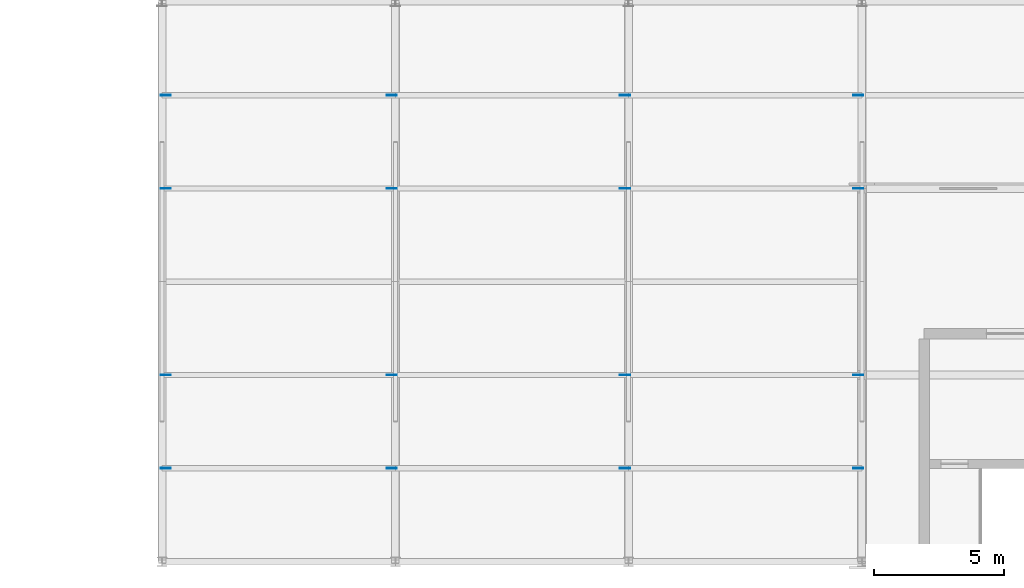
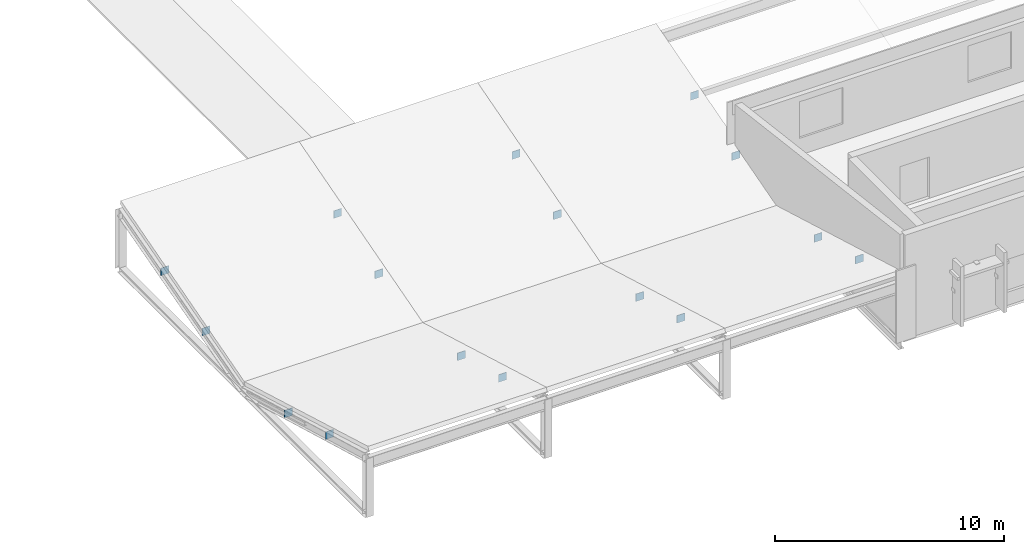
# One storey, part 35 of 64: 16 plates.
"""IFC4 building model written with IfcOpenShell, lengths in metres."""

from ifc_helpers import new_model, si_unit, direction, frame, origin, origin_2d, place, context, subcontext, project, spatial, rectangle, extrude, material, layer, layer_set, type_object, element, save


model = new_model("IFC4")

# Units and contexts
model_context = context("Model", 3, precision=1e-05, world=origin(), true_north=direction((0.0, 1.0)))
body_context = subcontext(model_context, "Body", "Model", "MODEL_VIEW")
ifc_project = project(units=[si_unit("LENGTHUNIT", "METRE"), si_unit("AREAUNIT", "SQUARE_METRE"), si_unit("VOLUMEUNIT", "CUBIC_METRE"), si_unit("PLANEANGLEUNIT", "RADIAN"), si_unit("MASSUNIT", "GRAM", prefix="KILO")], contexts=[model_context])

# Site, building, storey
site_placement = place(None, origin())
site = spatial("IfcSite", under=ifc_project, at=site_placement, CompositionType="ELEMENT")
building_placement = place(site_placement, origin())
building = spatial("IfcBuilding", under=site, at=building_placement, Name="Vervanel Yard Central Library", CompositionType="ELEMENT")
storey_placement = place(building_placement, frame((0.0, 0.0, 8.93994140625)))
storey = spatial("IfcBuildingStorey", under=building, at=storey_placement, Name="L02", CompositionType="ELEMENT", Elevation=8.93994140625)

# Plates
ifc_material = material(Name="Steel ASTM A572 Grade 50", Category="steel")
ifc_layer = layer(ifc_material, 0.028076171875, Category="steel")
ifc_layer_set = layer_set([ifc_layer], Name="Steel ASTM A572 Grade 50")
plate_type = type_object("IfcPlateType", Name="Brace End Cap Plate 28", PredefinedType="SHEET", material=ifc_layer_set)
for number, where, z_axis, x_axis, name in (
    (1, (63.139892578125, 3.60009765625, 1.8447265625), (0.0, 0.0, 1.0), (1.0, 0.0, 0.0), "V5 Butterfly Purlin End Cap 63-36-1"),
    (2, (71.860107421875, 3.60009765625, 1.8447265625), (0.0, 0.0, 1.0), (1.0, 0.0, 0.0), "V5 Butterfly Purlin End Cap 63-36-2"),
    (3, (63.139892578125, 7.199951171875, 0.8125), (0.0, 0.0, 1.0), (1.0, 0.0, 0.0), "V5 Butterfly Purlin End Cap 63-72-1"),
    (4, (71.860107421875, 7.199951171875, 0.8125), (0.0, 0.0, 1.0), (1.0, 0.0, 0.0), "V5 Butterfly Purlin End Cap 63-72-2"),
    (5, (63.139892578125, 14.39990234375, 0.8125), (0.0, 0.0, 1.0), (1.0, 0.0, 0.0), "V5 Butterfly Purlin End Cap 63-144-1"),
    (6, (71.860107421875, 14.39990234375, 0.8125), (0.0, 0.0, 1.0), (1.0, 0.0, 0.0), "V5 Butterfly Purlin End Cap 63-144-2"),
    (7, (63.139892578125, 18.0, 1.8447265625), (0.0, 0.0, 1.0), (1.0, 0.0, 0.0), "V5 Butterfly Purlin End Cap 63-180-1"),
    (8, (71.860107421875, 18.0, 1.8447265625), (0.0, 0.0, 1.0), (1.0, 0.0, 0.0), "V5 Butterfly Purlin End Cap 63-180-2"),
    (9, (80.860107421875, 3.60009765625, 1.8447265625), (0.0, 0.0, 1.0), (1.0, 0.0, 0.0), "V5 Butterfly Purlin End Cap 72-36-2"),
    (10, (80.860107421875, 7.199951171875, 0.8125), (0.0, 0.0, 1.0), (1.0, 0.0, 0.0), "V5 Butterfly Purlin End Cap 72-72-2"),
    (11, (80.860107421875, 14.39990234375, 0.8125), (0.0, 0.0, 1.0), (1.0, 0.0, 0.0), "V5 Butterfly Purlin End Cap 72-144-2"),
    (12, (80.860107421875, 18.0, 1.8447265625), (0.0, 0.0, 1.0), (1.0, 0.0, 0.0), "V5 Butterfly Purlin End Cap 72-180-2"),
    (13, (89.860107421875, 3.60009765625, 1.8447265625), (0.0, 0.0, 1.0), (1.0, 0.0, 0.0), "V5 Butterfly Purlin End Cap 81-36-2"),
    (14, (89.860107421875, 7.199951171875, 0.8125), (0.0, 0.0, 1.0), (1.0, 0.0, 0.0), "V5 Butterfly Purlin End Cap 81-72-2"),
    (15, (89.860107421875, 14.39990234375, 0.8125), (0.0, 0.0, 1.0), (1.0, 0.0, 0.0), "V5 Butterfly Purlin End Cap 81-144-2"),
    (16, (89.860107421875, 18.0, 1.8447265625), (0.0, 0.0, 1.0), (1.0, 0.0, 0.0), "V5 Butterfly Purlin End Cap 81-180-2"),
):
    element("IfcPlate", number, at=place(storey_placement, frame(where, z_axis=z_axis, x_axis=x_axis)), inside=storey, type_object=plate_type, Name=name, PredefinedType="SHEET", context=body_context, shape_type="SweptSolid", body=[
        extrude(rectangle(XDim=0.39990234375, YDim=0.028076171875, at=origin_2d()), origin(), (0.0, 0.0, 1.0), 0.39990234375),
    ])

save(model, "model.ifc")
